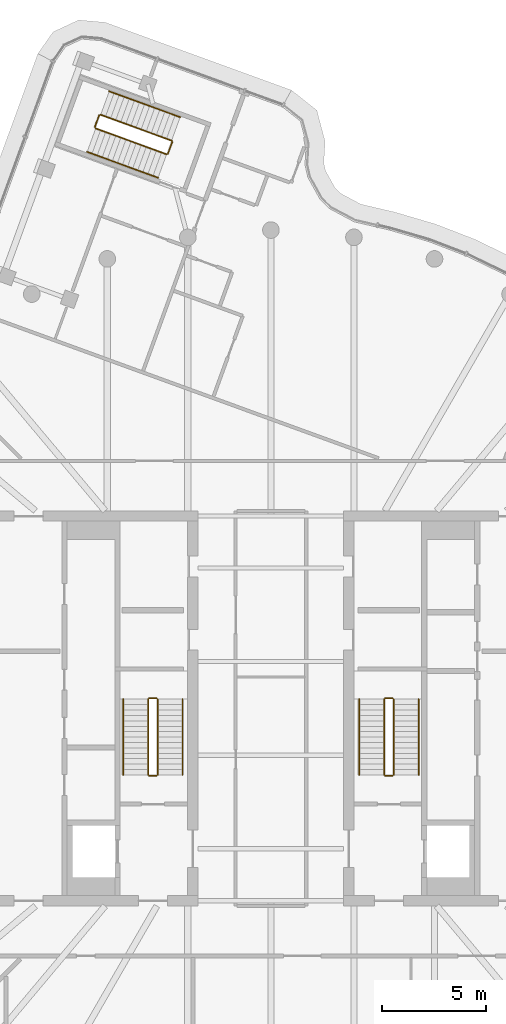
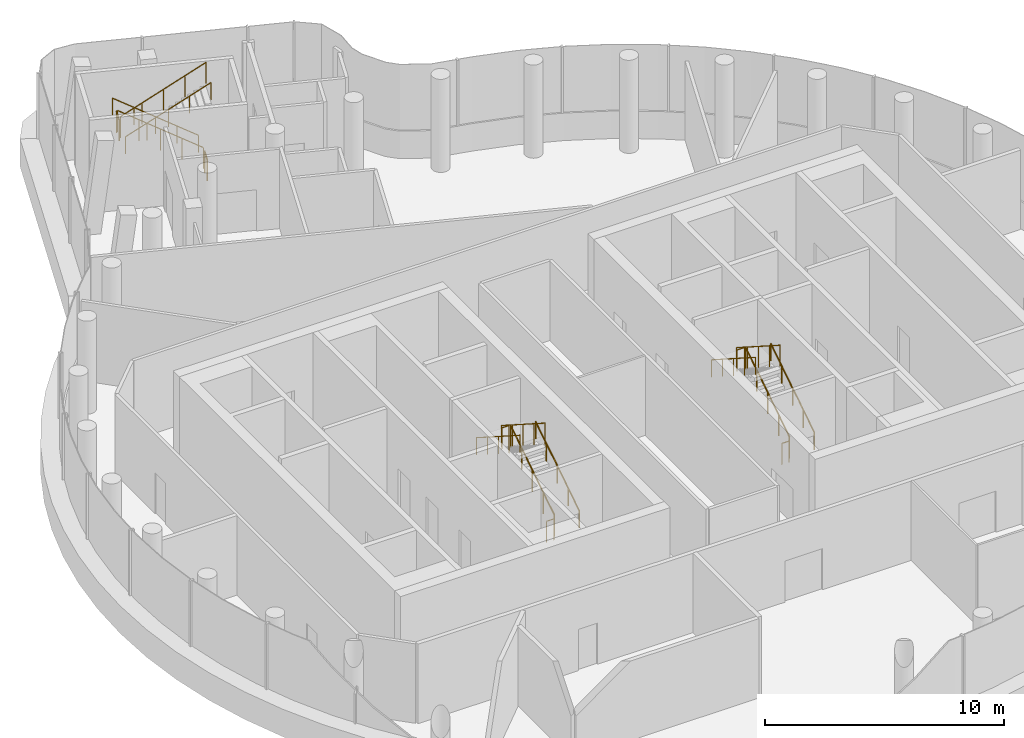
# One storey, part 12 of 12: 18 railings.
"""IFC4 building model written with IfcOpenShell, lengths in metres."""

import ifcopenshell
import ifcopenshell.guid

model = None  # the IFC model being written
_history = None  # IfcOwnerHistory: only IFC2X3 demands one
_inside = {}  # id of a spatial element -> (the spatial element, [elements in it])
_under = {}  # id of a project, library or spatial element -> (it, [spatial elements below it])
_declared = {}  # id of a project -> (the project, [libraries it declares])
_typed = {}  # id of a type object -> (the type object, [elements of that type])
_made_of = {}  # id of a material, layer set ... -> (it, [elements and type objects made of it])


def new_model(schema):
    """Start an empty IFC model of exactly this schema.

    Asked for "IFC4X3", IfcOpenShell would pick the latest addendum, in which some entities
    have other attributes; the version numbers below select the first issue.
    IFC2X3 requires an IfcOwnerHistory on every rooted entity: one is made here for all.
    """
    global model, _history
    if schema == "IFC4X3":
        model = ifcopenshell.file(schema_version=(4, 3, 0, 0))
    else:
        model = ifcopenshell.file(schema=schema)
    _inside.clear()
    _under.clear()
    _declared.clear()
    _typed.clear()
    _made_of.clear()
    _history = None
    if model.schema == "IFC2X3":
        org = make("IfcOrganization", Name="unknown")
        user = make(
            "IfcPersonAndOrganization",
            ThePerson=make("IfcPerson", FamilyName="unknown"),
            TheOrganization=org,
        )
        app = make(
            "IfcApplication",
            ApplicationDeveloper=org,
            Version="unknown",
            ApplicationFullName="unknown",
            ApplicationIdentifier="unknown",
        )
        _history = make(
            "IfcOwnerHistory",
            OwningUser=user,
            OwningApplication=app,
            ChangeAction="ADDED",
            CreationDate=0,
        )
    return model


def make(cls, **values):
    """One entity of the class cls with the attributes given. An attribute that is None is left unset."""
    return model.create_entity(
        cls, **{name: value for name, value in values.items() if value is not None}
    )


def rooted(cls, **values):
    """An entity with a GlobalId (a new one), such as an element, a storey or a relation."""
    return make(cls, GlobalId=ifcopenshell.guid.new(), OwnerHistory=_history, **values)


def si_unit(unit_type, name, prefix=None):
    """IfcSIUnit, for example si_unit("LENGTHUNIT", "METRE", prefix="MILLI")."""
    return make("IfcSIUnit", UnitType=unit_type, Prefix=prefix, Name=name)


def assignment(units):
    """IfcUnitAssignment: the units of a project."""
    return None if units is None else make("IfcUnitAssignment", Units=units)


def point(xyz):
    """IfcCartesianPoint."""
    return None if xyz is None else make("IfcCartesianPoint", Coordinates=xyz)


def direction(xyz):
    """IfcDirection."""
    return None if xyz is None else make("IfcDirection", DirectionRatios=xyz)


def frame(location, z_axis=None, x_axis=None):
    """IfcAxis2Placement3D, a coordinate frame: its origin and axes. An axis left out is left unset."""
    return make(
        "IfcAxis2Placement3D",
        Location=point(location),
        Axis=direction(z_axis),
        RefDirection=direction(x_axis),
    )


def frame_2d(location, x_axis=None):
    """IfcAxis2Placement2D, a coordinate frame in the plane: its origin and x axis."""
    return make(
        "IfcAxis2Placement2D", Location=point(location), RefDirection=direction(x_axis)
    )


def origin():
    """The frame at (0, 0, 0) with its axes left unset."""
    return frame((0.0, 0.0, 0.0))


def origin_2d():
    """The frame at (0, 0) in the plane with its x axis left unset."""
    return frame_2d((0.0, 0.0))


def place(relative_to, where):
    """IfcLocalPlacement: puts the frame where relative to a parent placement (None: the world)."""
    return make(
        "IfcLocalPlacement", PlacementRelTo=relative_to, RelativePlacement=where
    )


def context(
    kind, dimensions, precision=None, world=None, true_north=None, identifier=None
):
    """IfcGeometricRepresentationContext, for example the 3D "Model" context."""
    return make(
        "IfcGeometricRepresentationContext",
        ContextIdentifier=identifier,
        ContextType=kind,
        CoordinateSpaceDimension=dimensions,
        Precision=precision,
        WorldCoordinateSystem=world,
        TrueNorth=true_north,
    )


def subcontext(parent, identifier, kind, view, scale=None):
    """IfcGeometricRepresentationSubContext, for example "Body" below "Model"."""
    return make(
        "IfcGeometricRepresentationSubContext",
        ContextIdentifier=identifier,
        ContextType=kind,
        ParentContext=parent,
        TargetScale=scale,
        TargetView=view,
    )


def project(units=None, contexts=None):
    """IfcProject with its units and contexts."""
    return rooted(
        "IfcProject",
        Name="project",
        RepresentationContexts=contexts,
        UnitsInContext=assignment(units),
    )


def spatial(cls, under=None, at=None, **own):
    """A site, building, storey or space (cls), placed at a placement, below another one or the project."""
    s = rooted(cls, ObjectPlacement=at, **own)
    if under is not None:
        _under.setdefault(under.id(), (under, []))[1].append(s)
    return s


def profile(cls, at=None, kind="AREA", **sizes):
    """A parametric profile (cls). Its sizes go by their IFC names, for example OverallWidth=200.0."""
    return make(cls, ProfileType=kind, Position=at, **sizes)


def circle(**sizes):
    """IfcCircleProfileDef."""
    return profile("IfcCircleProfileDef", **sizes)


def extrude(swept, where, along, depth):
    """IfcExtrudedAreaSolid: the profile swept, set in the frame where, extruded along a direction by depth."""
    return make(
        "IfcExtrudedAreaSolid",
        SweptArea=swept,
        Position=where,
        ExtrudedDirection=direction(along),
        Depth=depth,
    )


def shape(context_of_items, identifier, shape_type, items):
    """IfcShapeRepresentation: the items that make up one representation, for example the "Body"."""
    return make(
        "IfcShapeRepresentation",
        ContextOfItems=context_of_items,
        RepresentationIdentifier=identifier,
        RepresentationType=shape_type,
        Items=items,
    )


def material(Name=None, Category=None):
    """IfcMaterial."""
    return make("IfcMaterial", Name=Name, Category=Category)


def made_of(thing, what):
    """Note that an element or type object is made of a material, layer set ...; save() writes the relation."""
    if what is not None:
        _made_of.setdefault(what.id(), (what, []))[1].append(thing)
    return thing


def type_object(cls, material=None, **own):
    """A type object (cls), such as IfcWallType, which elements share."""
    return made_of(rooted(cls, **own), material)


def element(
    cls,
    number,
    at=None,
    inside=None,
    cuts=None,
    type_object=None,
    material=None,
    context=None,
    identifier="Body",
    shape_type=None,
    held_by="IfcProductDefinitionShape",
    body=None,
    shapes=None,
    **own,
):
    """One element of the class cls, such as IfcWall. Its Tag is "e" and its number.

    at: its placement. inside: the storey or other place that contains it. cuts: it is an
    opening in that element (IfcRelVoidsElement). A single representation is given by context,
    identifier, shape_type and body (its items); several are given by shapes. held_by: the class
    of the entity that holds the representations. save() writes the other relations.
    """
    e = rooted(cls, Tag="e%d" % number, ObjectPlacement=at, **own)
    if body is not None:
        shapes = [shape(context, identifier, shape_type, body)]
    if shapes is not None:
        e.Representation = make(held_by, Representations=shapes)
    if inside is not None:
        _inside.setdefault(inside.id(), (inside, []))[1].append(e)
    if cuts is not None:
        rooted(
            "IfcRelVoidsElement", RelatingBuildingElement=cuts, RelatedOpeningElement=e
        )
    if type_object is not None:
        _typed.setdefault(type_object.id(), (type_object, []))[1].append(e)
    return made_of(e, material)


def aggregate(whole, parts):
    """IfcRelAggregates: a whole, such as a stair, and the parts it consists of."""
    return rooted("IfcRelAggregates", RelatingObject=whole, RelatedObjects=parts)


def save(model, path):
    """Write the relations noted so far, then the file.

    IfcRelAggregates (storeys below a building ...), IfcRelContainedInSpatialStructure (elements
    in a storey), IfcRelDefinesByType, IfcRelAssociatesMaterial and IfcRelDeclares: one each for
    every whole, place, type object, material and project.
    """
    for whole, parts in _under.values():
        aggregate(whole, parts)
    for where, things in _inside.values():
        rooted(
            "IfcRelContainedInSpatialStructure",
            RelatedElements=things,
            RelatingStructure=where,
        )
    for kind, things in _typed.values():
        rooted("IfcRelDefinesByType", RelatedObjects=things, RelatingType=kind)
    for what, things in _made_of.values():
        rooted("IfcRelAssociatesMaterial", RelatedObjects=things, RelatingMaterial=what)
    for by, libraries in _declared.values():
        rooted("IfcRelDeclares", RelatingContext=by, RelatedDefinitions=libraries)
    model.write(path)


model = new_model("IFC4")

# Units and contexts
model_context = context("Model", 3, precision=1e-05, world=origin(), true_north=direction((0.0, 1.0)))
body_context = subcontext(model_context, "Body", "Model", "MODEL_VIEW")
ifc_project = project(units=[si_unit("LENGTHUNIT", "METRE"), si_unit("AREAUNIT", "SQUARE_METRE"), si_unit("VOLUMEUNIT", "CUBIC_METRE"), si_unit("PLANEANGLEUNIT", "RADIAN"), si_unit("MASSUNIT", "GRAM", prefix="KILO")], contexts=[model_context])

# Site, building, storey
site_placement = place(None, origin())
site = spatial("IfcSite", under=ifc_project, at=site_placement, CompositionType="ELEMENT")
building_placement = place(site_placement, origin())
building = spatial("IfcBuilding", under=site, at=building_placement, Name="Tamarind Cross Interchange Tower", CompositionType="ELEMENT")
storey_placement = place(building_placement, frame((0.0, 0.0, 294.39990234375)))
storey = spatial("IfcBuildingStorey", under=building, at=storey_placement, Name="L73", CompositionType="ELEMENT", Elevation=294.39990234375)

# Railings
ifc_material_1 = material(Name="Stair guard")
railing_type_1 = type_object("IfcRailingType", Name="Stair guard", PredefinedType="GUARDRAIL", material=ifc_material_1)
railing_1_placement = place(storey_placement, frame((-5.449951171875, -3.199951171875, 0.166748046875)))
element("IfcRailing", 1, at=railing_1_placement, inside=storey, type_object=railing_type_1, Name="L73 ST1 stair guard 1", PredefinedType="GUARDRAIL", context=body_context, shape_type="SweptSolid", body=[
    extrude(circle(Radius=0.02392578125, at=origin_2d()), frame((0.0, 0.0, 1.076171875), z_axis=(0.0, 0.841880454617, 0.539664062296), x_axis=(-1.0, 0.0, 0.0)), (0.0, 0.0, 1.0), 4.323486328125),
    extrude(circle(Radius=0.02099609375, at=origin_2d()), origin(), (0.0, 0.0, 1.0), 1.052001953125),
    extrude(circle(Radius=0.02099609375, at=origin_2d()), frame((0.0, 0.909912109375, 0.583251953125)), (0.0, 0.0, 1.0), 1.052001953125),
    extrude(circle(Radius=0.02099609375, at=origin_2d()), frame((0.0, 1.81982421875, 1.16650390625)), (0.0, 0.0, 1.0), 1.052001953125),
    extrude(circle(Radius=0.02099609375, at=origin_2d()), frame((0.0, 2.72998046875, 1.75)), (0.0, 0.0, 1.0), 1.052001953125),
    extrude(circle(Radius=0.02099609375, at=origin_2d()), frame((0.0, 3.639892578125, 2.333251953125)), (0.0, 0.0, 1.0), 1.052001953125),
])
railing_2_placement = place(storey_placement, frame((-5.5, 0.489990234375, 2.5)))
element("IfcRailing", 2, at=railing_2_placement, inside=storey, type_object=railing_type_1, Name="L73 ST1 stair guard 2", PredefinedType="GUARDRAIL", context=body_context, shape_type="SweptSolid", body=[
    extrude(circle(Radius=0.02392578125, at=origin_2d()), frame((0.0, 0.0, 1.076171875), z_axis=(-1.0, 0.0, 0.0), x_axis=(0.0, -1.0, 0.0)), (0.0, 0.0, 1.0), 0.35009765625),
    extrude(circle(Radius=0.02099609375, at=origin_2d()), origin(), (0.0, 0.0, 1.0), 1.052001953125),
    extrude(circle(Radius=0.02099609375, at=origin_2d()), frame((-0.35009765625, 0.0, 0.0)), (0.0, 0.0, 1.0), 1.052001953125),
])
railing_3_placement = place(storey_placement, frame((-5.89990234375, 0.43994140625, 2.666748046875)))
element("IfcRailing", 3, at=railing_3_placement, inside=storey, type_object=railing_type_1, Name="L73 ST1 stair guard 3", PredefinedType="GUARDRAIL", context=body_context, shape_type="SweptSolid", body=[
    extrude(circle(Radius=0.02392578125, at=origin_2d()), frame((0.0, 0.0, 1.076171875), z_axis=(0.0, -0.841880454617, 0.539664062296), x_axis=(1.0, 0.0, 0.0)), (0.0, 0.0, 1.0), 4.323486328125),
    extrude(circle(Radius=0.02099609375, at=origin_2d()), origin(), (0.0, 0.0, 1.0), 1.052001953125),
    extrude(circle(Radius=0.02099609375, at=origin_2d()), frame((0.0, -0.909912109375, 0.583251953125)), (0.0, 0.0, 1.0), 1.052001953125),
    extrude(circle(Radius=0.02099609375, at=origin_2d()), frame((0.0, -1.81982421875, 1.16650390625)), (0.0, 0.0, 1.0), 1.052001953125),
    extrude(circle(Radius=0.02099609375, at=origin_2d()), frame((0.0, -2.72998046875, 1.75)), (0.0, 0.0, 1.0), 1.052001953125),
    extrude(circle(Radius=0.02099609375, at=origin_2d()), frame((0.0, -3.639892578125, 2.333251953125)), (0.0, 0.0, 1.0), 1.052001953125),
])
railing_4_placement = place(storey_placement, frame((-5.5, -3.25, 0.0)))
element("IfcRailing", 4, at=railing_4_placement, inside=storey, type_object=railing_type_1, Name="L73 ST1 stair guard 4", PredefinedType="GUARDRAIL", context=body_context, shape_type="SweptSolid", body=[
    extrude(circle(Radius=0.02392578125, at=origin_2d()), frame((0.0, 0.0, 1.076171875), z_axis=(-1.0, 0.0, 0.0), x_axis=(0.0, -1.0, 0.0)), (0.0, 0.0, 1.0), 0.35009765625),
    extrude(circle(Radius=0.02099609375, at=origin_2d()), origin(), (0.0, 0.0, 1.0), 1.052001953125),
    extrude(circle(Radius=0.02099609375, at=origin_2d()), frame((-0.35009765625, 0.0, 0.0)), (0.0, 0.0, 1.0), 1.052001953125),
])
railing_5_placement = place(storey_placement, frame((5.89990234375, -3.199951171875, 0.166748046875)))
element("IfcRailing", 5, at=railing_5_placement, inside=storey, type_object=railing_type_1, Name="L73 ST2 stair guard 1", PredefinedType="GUARDRAIL", context=body_context, shape_type="SweptSolid", body=[
    extrude(circle(Radius=0.02392578125, at=origin_2d()), frame((0.0, 0.0, 1.076171875), z_axis=(0.0, 0.841880454617, 0.539664062296), x_axis=(-1.0, 0.0, 0.0)), (0.0, 0.0, 1.0), 4.323486328125),
    extrude(circle(Radius=0.02099609375, at=origin_2d()), origin(), (0.0, 0.0, 1.0), 1.052001953125),
    extrude(circle(Radius=0.02099609375, at=origin_2d()), frame((0.0, 0.909912109375, 0.583251953125)), (0.0, 0.0, 1.0), 1.052001953125),
    extrude(circle(Radius=0.02099609375, at=origin_2d()), frame((0.0, 1.81982421875, 1.16650390625)), (0.0, 0.0, 1.0), 1.052001953125),
    extrude(circle(Radius=0.02099609375, at=origin_2d()), frame((0.0, 2.72998046875, 1.75)), (0.0, 0.0, 1.0), 1.052001953125),
    extrude(circle(Radius=0.02099609375, at=origin_2d()), frame((0.0, 3.639892578125, 2.333251953125)), (0.0, 0.0, 1.0), 1.052001953125),
])
railing_6_placement = place(storey_placement, frame((5.85009765625, 0.489990234375, 2.5)))
element("IfcRailing", 6, at=railing_6_placement, inside=storey, type_object=railing_type_1, Name="L73 ST2 stair guard 2", PredefinedType="GUARDRAIL", context=body_context, shape_type="SweptSolid", body=[
    extrude(circle(Radius=0.02392578125, at=origin_2d()), frame((0.0, 0.0, 1.076171875), z_axis=(-1.0, 0.0, 0.0), x_axis=(0.0, -1.0, 0.0)), (0.0, 0.0, 1.0), 0.35009765625),
    extrude(circle(Radius=0.02099609375, at=origin_2d()), origin(), (0.0, 0.0, 1.0), 1.052001953125),
    extrude(circle(Radius=0.02099609375, at=origin_2d()), frame((-0.35009765625, 0.0, 0.0)), (0.0, 0.0, 1.0), 1.052001953125),
])
railing_7_placement = place(storey_placement, frame((5.449951171875, 0.43994140625, 2.666748046875)))
element("IfcRailing", 7, at=railing_7_placement, inside=storey, type_object=railing_type_1, Name="L73 ST2 stair guard 3", PredefinedType="GUARDRAIL", context=body_context, shape_type="SweptSolid", body=[
    extrude(circle(Radius=0.02392578125, at=origin_2d()), frame((0.0, 0.0, 1.076171875), z_axis=(0.0, -0.841880454617, 0.539664062296), x_axis=(1.0, 0.0, 0.0)), (0.0, 0.0, 1.0), 4.323486328125),
    extrude(circle(Radius=0.02099609375, at=origin_2d()), origin(), (0.0, 0.0, 1.0), 1.052001953125),
    extrude(circle(Radius=0.02099609375, at=origin_2d()), frame((0.0, -0.909912109375, 0.583251953125)), (0.0, 0.0, 1.0), 1.052001953125),
    extrude(circle(Radius=0.02099609375, at=origin_2d()), frame((0.0, -1.81982421875, 1.16650390625)), (0.0, 0.0, 1.0), 1.052001953125),
    extrude(circle(Radius=0.02099609375, at=origin_2d()), frame((0.0, -2.72998046875, 1.75)), (0.0, 0.0, 1.0), 1.052001953125),
    extrude(circle(Radius=0.02099609375, at=origin_2d()), frame((0.0, -3.639892578125, 2.333251953125)), (0.0, 0.0, 1.0), 1.052001953125),
])
railing_8_placement = place(storey_placement, frame((5.85009765625, -3.25, 0.0)))
element("IfcRailing", 8, at=railing_8_placement, inside=storey, type_object=railing_type_1, Name="L73 ST2 stair guard 4", PredefinedType="GUARDRAIL", context=body_context, shape_type="SweptSolid", body=[
    extrude(circle(Radius=0.02392578125, at=origin_2d()), frame((0.0, 0.0, 1.076171875), z_axis=(-1.0, 0.0, 0.0), x_axis=(0.0, -1.0, 0.0)), (0.0, 0.0, 1.0), 0.35009765625),
    extrude(circle(Radius=0.02099609375, at=origin_2d()), origin(), (0.0, 0.0, 1.0), 1.052001953125),
    extrude(circle(Radius=0.02099609375, at=origin_2d()), frame((-0.35009765625, 0.0, 0.0)), (0.0, 0.0, 1.0), 1.052001953125),
])
railing_9_placement = place(storey_placement, frame((-4.7744140625, 27.302490234375, 0.166748046875)))
element("IfcRailing", 9, at=railing_9_placement, inside=storey, type_object=railing_type_1, Name="L73 ST4 stair guard 1", PredefinedType="GUARDRAIL", context=body_context, shape_type="SweptSolid", body=[
    extrude(circle(Radius=0.02392578125, at=origin_2d()), frame((0.0, 0.0, 1.076171875), z_axis=(-0.791134862459, 0.287916398807, 0.539638561168), x_axis=(-0.341985381714, -0.93970527225, 0.0)), (0.0, 0.0, 1.0), 4.32373046875),
    extrude(circle(Radius=0.02099609375, at=origin_2d()), origin(), (0.0, 0.0, 1.0), 1.052001953125),
    extrude(circle(Radius=0.02099609375, at=origin_2d()), frame((-0.855224609375, 0.311279296875, 0.583251953125)), (0.0, 0.0, 1.0), 1.052001953125),
    extrude(circle(Radius=0.02099609375, at=origin_2d()), frame((-1.71044921875, 0.62255859375, 1.16650390625)), (0.0, 0.0, 1.0), 1.052001953125),
    extrude(circle(Radius=0.02099609375, at=origin_2d()), frame((-2.5654296875, 0.93359375, 1.75)), (0.0, 0.0, 1.0), 1.052001953125),
    extrude(circle(Radius=0.02099609375, at=origin_2d()), frame((-3.420654296875, 1.244873046875, 2.333251953125)), (0.0, 0.0, 1.0), 1.052001953125),
])
railing_10_placement = place(storey_placement, frame((-8.259033203125, 28.517578125, 2.5)))
element("IfcRailing", 10, at=railing_10_placement, inside=storey, type_object=railing_type_1, Name="L73 ST4 stair guard 2", PredefinedType="GUARDRAIL", context=body_context, shape_type="SweptSolid", body=[
    extrude(circle(Radius=0.02392578125, at=origin_2d()), frame((0.0, 0.0, 1.076171875), z_axis=(-0.342102311309, -0.939662710017, 0.0), x_axis=(0.939662710017, -0.342102311309, 0.0)), (0.0, 0.0, 1.0), 0.60009765625),
    extrude(circle(Radius=0.02099609375, at=origin_2d()), origin(), (0.0, 0.0, 1.0), 1.052001953125),
    extrude(circle(Radius=0.02099609375, at=origin_2d()), frame((-0.205322265625, -0.56396484375, 0.0)), (0.0, 0.0, 1.0), 1.052001953125),
])
railing_11_placement = place(storey_placement, frame((-8.434326171875, 27.8896484375, 2.666748046875)))
element("IfcRailing", 11, at=railing_11_placement, inside=storey, type_object=railing_type_1, Name="L73 ST4 stair guard 3", PredefinedType="GUARDRAIL", context=body_context, shape_type="SweptSolid", body=[
    extrude(circle(Radius=0.02392578125, at=origin_2d()), frame((0.0, 0.0, 1.076171875), z_axis=(0.791113737069, -0.287929260908, 0.539662668463), x_axis=(0.342006936678, 0.939697427507, 0.0)), (0.0, 0.0, 1.0), 4.323486328125),
    extrude(circle(Radius=0.02099609375, at=origin_2d()), origin(), (0.0, 0.0, 1.0), 1.052001953125),
    extrude(circle(Radius=0.02099609375, at=origin_2d()), frame((0.85498046875, -0.311279296875, 0.583251953125)), (0.0, 0.0, 1.0), 1.052001953125),
    extrude(circle(Radius=0.02099609375, at=origin_2d()), frame((1.710205078125, -0.62255859375, 1.16650390625)), (0.0, 0.0, 1.0), 1.052001953125),
    extrude(circle(Radius=0.02099609375, at=origin_2d()), frame((2.5654296875, -0.93359375, 1.75)), (0.0, 0.0, 1.0), 1.052001953125),
    extrude(circle(Radius=0.02099609375, at=origin_2d()), frame((3.42041015625, -1.244873046875, 2.333251953125)), (0.0, 0.0, 1.0), 1.052001953125),
])
railing_12_placement = place(storey_placement, frame((-4.74462890625, 27.238525390625, 0.0)))
element("IfcRailing", 12, at=railing_12_placement, inside=storey, type_object=railing_type_1, Name="L73 ST4 stair guard 4", PredefinedType="GUARDRAIL", context=body_context, shape_type="SweptSolid", body=[
    extrude(circle(Radius=0.02392578125, at=origin_2d()), frame((0.0, 0.0, 1.076171875), z_axis=(-0.341743063087, -0.939793423488, 0.0), x_axis=(0.939793423488, -0.341743063087, 0.0)), (0.0, 0.0, 1.0), 0.60009765625),
    extrude(circle(Radius=0.02099609375, at=origin_2d()), origin(), (0.0, 0.0, 1.0), 1.052001953125),
    extrude(circle(Radius=0.02099609375, at=origin_2d()), frame((-0.205078125, -0.56396484375, 0.0)), (0.0, 0.0, 1.0), 1.052001953125),
])
ifc_material_2 = material(Name="Stair handrail")
railing_type_2 = type_object("IfcRailingType", Name="Stair handrail", PredefinedType="HANDRAIL", material=ifc_material_2)
railing_13_placement = place(storey_placement, frame((-4.25, -3.199951171875, 0.166748046875)))
element("IfcRailing", 13, at=railing_13_placement, inside=storey, type_object=railing_type_2, Name="L73 ST1 stair handrail 1", PredefinedType="HANDRAIL", context=body_context, shape_type="SweptSolid", body=[
    extrude(circle(Radius=0.02392578125, at=origin_2d()), frame((0.0, 0.0, 0.8759765625), z_axis=(0.0, 0.841880454617, 0.539664062296), x_axis=(-1.0, 0.0, 0.0)), (0.0, 0.0, 1.0), 4.323486328125),
    extrude(circle(Radius=0.02099609375, at=origin_2d()), origin(), (0.0, 0.0, 1.0), 0.851806640625),
    extrude(circle(Radius=0.02099609375, at=origin_2d()), frame((0.0, 0.909912109375, 0.583251953125)), (0.0, 0.0, 1.0), 0.851806640625),
    extrude(circle(Radius=0.02099609375, at=origin_2d()), frame((0.0, 1.81982421875, 1.16650390625)), (0.0, 0.0, 1.0), 0.851806640625),
    extrude(circle(Radius=0.02099609375, at=origin_2d()), frame((0.0, 2.72998046875, 1.75)), (0.0, 0.0, 1.0), 0.851806640625),
    extrude(circle(Radius=0.02099609375, at=origin_2d()), frame((0.0, 3.639892578125, 2.333251953125)), (0.0, 0.0, 1.0), 0.851806640625),
])
railing_14_placement = place(storey_placement, frame((-7.10009765625, 0.43994140625, 2.666748046875)))
element("IfcRailing", 14, at=railing_14_placement, inside=storey, type_object=railing_type_2, Name="L73 ST1 stair handrail 2", PredefinedType="HANDRAIL", context=body_context, shape_type="SweptSolid", body=[
    extrude(circle(Radius=0.02392578125, at=origin_2d()), frame((0.0, 0.0, 0.8759765625), z_axis=(0.0, -0.841880454617, 0.539664062296), x_axis=(1.0, 0.0, 0.0)), (0.0, 0.0, 1.0), 4.323486328125),
    extrude(circle(Radius=0.02099609375, at=origin_2d()), origin(), (0.0, 0.0, 1.0), 0.851806640625),
    extrude(circle(Radius=0.02099609375, at=origin_2d()), frame((0.0, -0.909912109375, 0.583251953125)), (0.0, 0.0, 1.0), 0.851806640625),
    extrude(circle(Radius=0.02099609375, at=origin_2d()), frame((0.0, -1.81982421875, 1.16650390625)), (0.0, 0.0, 1.0), 0.851806640625),
    extrude(circle(Radius=0.02099609375, at=origin_2d()), frame((0.0, -2.72998046875, 1.75)), (0.0, 0.0, 1.0), 0.851806640625),
    extrude(circle(Radius=0.02099609375, at=origin_2d()), frame((0.0, -3.639892578125, 2.333251953125)), (0.0, 0.0, 1.0), 0.851806640625),
])
railing_15_placement = place(storey_placement, frame((7.10009765625, -3.199951171875, 0.166748046875)))
element("IfcRailing", 15, at=railing_15_placement, inside=storey, type_object=railing_type_2, Name="L73 ST2 stair handrail 1", PredefinedType="HANDRAIL", context=body_context, shape_type="SweptSolid", body=[
    extrude(circle(Radius=0.02392578125, at=origin_2d()), frame((0.0, 0.0, 0.8759765625), z_axis=(0.0, 0.841880454617, 0.539664062296), x_axis=(-1.0, 0.0, 0.0)), (0.0, 0.0, 1.0), 4.323486328125),
    extrude(circle(Radius=0.02099609375, at=origin_2d()), origin(), (0.0, 0.0, 1.0), 0.851806640625),
    extrude(circle(Radius=0.02099609375, at=origin_2d()), frame((0.0, 0.909912109375, 0.583251953125)), (0.0, 0.0, 1.0), 0.851806640625),
    extrude(circle(Radius=0.02099609375, at=origin_2d()), frame((0.0, 1.81982421875, 1.16650390625)), (0.0, 0.0, 1.0), 0.851806640625),
    extrude(circle(Radius=0.02099609375, at=origin_2d()), frame((0.0, 2.72998046875, 1.75)), (0.0, 0.0, 1.0), 0.851806640625),
    extrude(circle(Radius=0.02099609375, at=origin_2d()), frame((0.0, 3.639892578125, 2.333251953125)), (0.0, 0.0, 1.0), 0.851806640625),
])
railing_16_placement = place(storey_placement, frame((4.25, 0.43994140625, 2.666748046875)))
element("IfcRailing", 16, at=railing_16_placement, inside=storey, type_object=railing_type_2, Name="L73 ST2 stair handrail 2", PredefinedType="HANDRAIL", context=body_context, shape_type="SweptSolid", body=[
    extrude(circle(Radius=0.02392578125, at=origin_2d()), frame((0.0, 0.0, 0.8759765625), z_axis=(0.0, -0.841880454617, 0.539664062296), x_axis=(1.0, 0.0, 0.0)), (0.0, 0.0, 1.0), 4.323486328125),
    extrude(circle(Radius=0.02099609375, at=origin_2d()), origin(), (0.0, 0.0, 1.0), 0.851806640625),
    extrude(circle(Radius=0.02099609375, at=origin_2d()), frame((0.0, -0.909912109375, 0.583251953125)), (0.0, 0.0, 1.0), 0.851806640625),
    extrude(circle(Radius=0.02099609375, at=origin_2d()), frame((0.0, -1.81982421875, 1.16650390625)), (0.0, 0.0, 1.0), 0.851806640625),
    extrude(circle(Radius=0.02099609375, at=origin_2d()), frame((0.0, -2.72998046875, 1.75)), (0.0, 0.0, 1.0), 0.851806640625),
    extrude(circle(Radius=0.02099609375, at=origin_2d()), frame((0.0, -3.639892578125, 2.333251953125)), (0.0, 0.0, 1.0), 0.851806640625),
])
railing_17_placement = place(storey_placement, frame((-4.364013671875, 28.43017578125, 0.166748046875)))
element("IfcRailing", 17, at=railing_17_placement, inside=storey, type_object=railing_type_2, Name="L73 ST4 stair handrail 1", PredefinedType="HANDRAIL", context=body_context, shape_type="SweptSolid", body=[
    extrude(circle(Radius=0.02392578125, at=origin_2d()), frame((0.0, 0.0, 0.8759765625), z_axis=(-0.791134862459, 0.287916398807, 0.539638561168), x_axis=(-0.341985381714, -0.93970527225, 0.0)), (0.0, 0.0, 1.0), 4.32373046875),
    extrude(circle(Radius=0.02099609375, at=origin_2d()), origin(), (0.0, 0.0, 1.0), 0.851806640625),
    extrude(circle(Radius=0.02099609375, at=origin_2d()), frame((-0.855224609375, 0.311279296875, 0.583251953125)), (0.0, 0.0, 1.0), 0.851806640625),
    extrude(circle(Radius=0.02099609375, at=origin_2d()), frame((-1.71044921875, 0.62255859375, 1.16650390625)), (0.0, 0.0, 1.0), 0.851806640625),
    extrude(circle(Radius=0.02099609375, at=origin_2d()), frame((-2.5654296875, 0.93359375, 1.75)), (0.0, 0.0, 1.0), 0.851806640625),
    extrude(circle(Radius=0.02099609375, at=origin_2d()), frame((-3.420654296875, 1.244873046875, 2.333251953125)), (0.0, 0.0, 1.0), 0.851806640625),
])
railing_18_placement = place(storey_placement, frame((-8.8447265625, 26.761962890625, 2.666748046875)))
element("IfcRailing", 18, at=railing_18_placement, inside=storey, type_object=railing_type_2, Name="L73 ST4 stair handrail 2", PredefinedType="HANDRAIL", context=body_context, shape_type="SweptSolid", body=[
    extrude(circle(Radius=0.02392578125, at=origin_2d()), frame((0.0, 0.0, 0.8759765625), z_axis=(0.791113737069, -0.287929260908, 0.539662668463), x_axis=(0.342006936678, 0.939697427507, 0.0)), (0.0, 0.0, 1.0), 4.323486328125),
    extrude(circle(Radius=0.02099609375, at=origin_2d()), origin(), (0.0, 0.0, 1.0), 0.851806640625),
    extrude(circle(Radius=0.02099609375, at=origin_2d()), frame((0.85498046875, -0.311279296875, 0.583251953125)), (0.0, 0.0, 1.0), 0.851806640625),
    extrude(circle(Radius=0.02099609375, at=origin_2d()), frame((1.710205078125, -0.62255859375, 1.16650390625)), (0.0, 0.0, 1.0), 0.851806640625),
    extrude(circle(Radius=0.02099609375, at=origin_2d()), frame((2.5654296875, -0.93359375, 1.75)), (0.0, 0.0, 1.0), 0.851806640625),
    extrude(circle(Radius=0.02099609375, at=origin_2d()), frame((3.42041015625, -1.244873046875, 2.333251953125)), (0.0, 0.0, 1.0), 0.851806640625),
])

save(model, "model.ifc")
